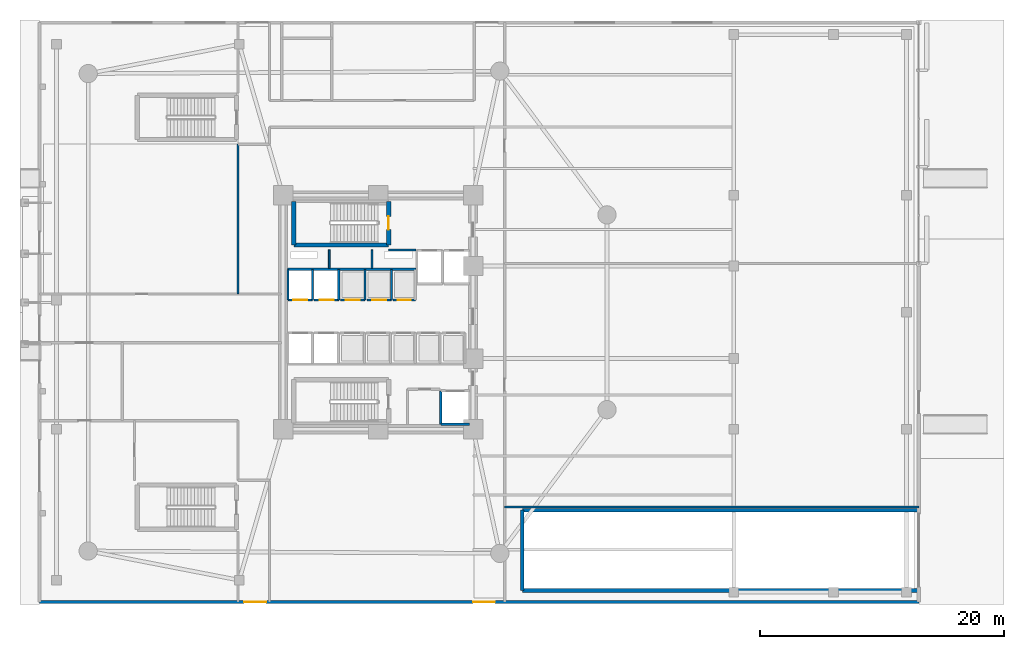
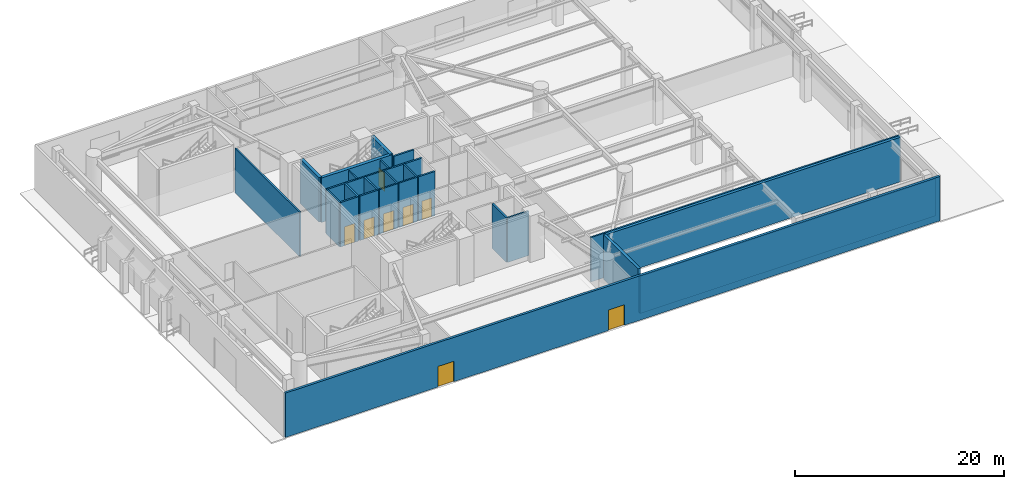
# One storey, part 7 of 16: 25 walls, 8 doors, 8 openings.
"""IFC4 building model written with IfcOpenShell, lengths in metres."""

from ifc_helpers import new_model, si_unit, direction, frame, frame_2d, origin, place, context, subcontext, project, spatial, rectangle, extrude, material, layer, layer_set, type_object, element, fill, save


model = new_model("IFC4")

# Units and contexts
model_context = context("Model", 3, precision=1e-05, world=origin(), true_north=direction((0.0, 1.0)))
body_context = subcontext(model_context, "Body", "Model", "MODEL_VIEW")
ifc_project = project(units=[si_unit("LENGTHUNIT", "METRE"), si_unit("AREAUNIT", "SQUARE_METRE"), si_unit("VOLUMEUNIT", "CUBIC_METRE"), si_unit("PLANEANGLEUNIT", "RADIAN"), si_unit("MASSUNIT", "GRAM", prefix="KILO")], contexts=[model_context])

# Site, building, storey
site_placement = place(None, origin())
site = spatial("IfcSite", under=ifc_project, at=site_placement, CompositionType="ELEMENT")
building_placement = place(site_placement, origin())
building = spatial("IfcBuilding", under=site, at=building_placement, Name="An Khanh Terracotta Commons", CompositionType="ELEMENT")
storey_placement = place(building_placement, origin())
storey = spatial("IfcBuildingStorey", under=building, at=storey_placement, Name="L01", CompositionType="ELEMENT", Elevation=0.0)

# Walls
ifc_material_1 = material(Name="Fire-Rated Gypsum Board on Steel Stud", Category="steel")
ifc_layer_1 = layer(ifc_material_1, 0.179931640625, Name="Fire-Rated Gypsum Board on Steel Stud")
ifc_layer_set_1 = layer_set([ifc_layer_1], Name="Fire-Rated Gypsum Board on Steel Stud")
wall_type_1 = type_object("IfcWallType", Name="WALL-CORR-180", PredefinedType="PARTITIONING", material=ifc_layer_set_1)
wall_1_placement = place(storey_placement, frame((30.27001953125, 29.1201171875, 0.0), z_axis=(0.0, 0.0, 1.0), x_axis=(1.0, 0.0, 0.0)))
element("IfcWall", 1, at=wall_1_placement, inside=storey, type_object=wall_type_1, Name="L01 Core Wall FFLW-L01-S", PredefinedType="PARTITIONING", context=body_context, shape_type="SweptSolid", body=[
    extrude(rectangle(XDim=2.239990234375, YDim=0.179931640625, at=frame_2d((1.1201171875, 0.0))), origin(), (0.0, 0.0, 1.0), 5.179931640625),
])
wall_2_placement = place(storey_placement, frame((21.949951171875, 27.5400390625, 0.0), z_axis=(0.0, 0.0, 1.0), x_axis=(1.0, 0.0, 0.0)))
element("IfcWall", 2, at=wall_2_placement, inside=storey, type_object=wall_type_1, Name="L01 Core Wall RSRW-L01-S", PredefinedType="PARTITIONING", context=body_context, shape_type="SweptSolid", body=[
    extrude(rectangle(XDim=10.56005859375, YDim=0.179931640625, at=frame_2d((5.280029296875, 0.0))), origin(), (0.0, 0.0, 1.0), 5.179931640625),
])
wall_3_placement = place(storey_placement, frame((36.89990234375, 14.800048828125, 0.0), z_axis=(0.0, 0.0, 1.0), x_axis=(-1.0, 0.0, 0.0)))
element("IfcWall", 3, at=wall_3_placement, inside=storey, type_object=wall_type_1, Name="L01 Core Wall LSH-L01-SVL-01-S", PredefinedType="PARTITIONING", context=body_context, shape_type="SweptSolid", body=[
    extrude(rectangle(XDim=2.349853515625, YDim=0.179931640625, at=frame_2d((1.1748046875, 0.0))), origin(), (0.0, 0.0, 1.0), 5.179931640625),
])
wall_4_placement = place(storey_placement, frame((34.550048828125, 17.550048828125, 0.0), z_axis=(0.0, 0.0, 1.0), x_axis=(0.0, -1.0, 0.0)))
element("IfcWall", 4, at=wall_4_placement, inside=storey, type_object=wall_type_1, Name="L01 Core Wall LSH-L01-SVL-01-W", PredefinedType="PARTITIONING", context=body_context, shape_type="SweptSolid", body=[
    extrude(rectangle(XDim=2.75, YDim=0.179931640625, at=frame_2d((1.375, 0.0))), origin(), (0.0, 0.0, 1.0), 5.179931640625),
])

# Wall, opening, door
wall_5_placement = place(storey_placement, frame((24.02001953125, 25.0, 0.0), z_axis=(0.0, 0.0, 1.0), x_axis=(-1.0, 0.0, 0.0)))
wall_5 = element("IfcWall", 5, at=wall_5_placement, inside=storey, type_object=wall_type_1, Name="L01 Core Wall LSH-L01-PL-L1-S", PredefinedType="PARTITIONING", context=body_context, shape_type="SweptSolid", body=[
    extrude(rectangle(XDim=2.02001953125, YDim=0.179931640625, at=frame_2d((1.010009765625, 0.0))), origin(), (0.0, 0.0, 1.0), 5.179931640625),
])
opening_1_placement = place(wall_5_placement, frame((0.43505859375, 0.0, 0.0)))
opening_1 = element("IfcOpeningElement", 6, at=opening_1_placement, cuts=wall_5, Name="Opening LD-PL-L1-L01", PredefinedType="OPENING", context=body_context, shape_type="SweptSolid", body=[
    extrude(rectangle(XDim=1.14990234375, YDim=2.199951171875, at=frame_2d((0.574951171875, 1.10009765625))), frame((0.0, 0.099853515625, 0.0), z_axis=(0.0, -1.0, 0.0), x_axis=(1.0, 0.0, 0.0)), (0.0, 0.0, 1.0), 0.199951171875),
])
ifc_material_2 = material(Name="Brushed Stainless Steel Passenger Landing Door", Category="steel")
door_type_1 = type_object("IfcDoorType", Name="DOOR-LD-PAX-1150", OperationType="NOTDEFINED", PredefinedType="DOOR", material=ifc_material_2)
door_1_placement = place(opening_1_placement, origin())
door_1 = element("IfcDoor", 7, at=door_1_placement, inside=storey, type_object=door_type_1, Name="L01 Lift PL-L1 Sliding Landing Door", OperationType="DOUBLE_DOOR_SLIDING", OverallHeight=2.199951171875, OverallWidth=1.14990234375, PredefinedType="DOOR", context=body_context, shape_type="SweptSolid", body=[
    extrude(rectangle(XDim=1.14990234375, YDim=2.199951171875, at=frame_2d((0.574951171875, 1.10009765625))), frame((0.0, 0.02490234375, 0.0), z_axis=(0.0, -1.0, 0.0), x_axis=(1.0, 0.0, 0.0)), (0.0, 0.0, 1.0), 0.050048828125),
])
fill(opening_1, door_1)

# Walls
for number, where, z_axis, x_axis, name in (
    (8, (24.02001953125, 25.0, 0.0), (0.0, 0.0, 1.0), (0.0, 1.0, 0.0), "L01 Core Wall LSH-L01-PL-L1-E"),
    (9, (22.0, 27.5, 0.0), (0.0, 0.0, 1.0), (0.0, -1.0, 0.0), "L01 Core Wall LSH-L01-PL-L1-W"),
):
    element("IfcWall", number, at=place(storey_placement, frame(where, z_axis=z_axis, x_axis=x_axis)), inside=storey, type_object=wall_type_1, Name=name, PredefinedType="PARTITIONING", context=body_context, shape_type="SweptSolid", body=[
        extrude(rectangle(XDim=2.5, YDim=0.179931640625, at=frame_2d((1.25, 0.0))), origin(), (0.0, 0.0, 1.0), 5.179931640625),
    ])

# Wall, opening, door
wall_6_placement = place(storey_placement, frame((26.179931640625, 25.0, 0.0), z_axis=(0.0, 0.0, 1.0), x_axis=(-1.0, 0.0, 0.0)))
wall_6 = element("IfcWall", 10, at=wall_6_placement, inside=storey, type_object=wall_type_1, Name="L01 Core Wall LSH-L01-PL-L2-S", PredefinedType="PARTITIONING", context=body_context, shape_type="SweptSolid", body=[
    extrude(rectangle(XDim=2.02001953125, YDim=0.179931640625, at=frame_2d((1.010009765625, 0.0))), origin(), (0.0, 0.0, 1.0), 5.179931640625),
])
opening_2_placement = place(wall_6_placement, frame((0.43505859375, 0.0, 0.0)))
opening_2 = element("IfcOpeningElement", 11, at=opening_2_placement, cuts=wall_6, Name="Opening LD-PL-L2-L01", PredefinedType="OPENING", context=body_context, shape_type="SweptSolid", body=[
    extrude(rectangle(XDim=1.14990234375, YDim=2.199951171875, at=frame_2d((0.574951171875, 1.10009765625))), frame((0.0, 0.099853515625, 0.0), z_axis=(0.0, -1.0, 0.0), x_axis=(1.0, 0.0, 0.0)), (0.0, 0.0, 1.0), 0.199951171875),
])
door_2_placement = place(opening_2_placement, origin())
door_2 = element("IfcDoor", 12, at=door_2_placement, inside=storey, type_object=door_type_1, Name="L01 Lift PL-L2 Sliding Landing Door", OperationType="DOUBLE_DOOR_SLIDING", OverallHeight=2.199951171875, OverallWidth=1.14990234375, PredefinedType="DOOR", context=body_context, shape_type="SweptSolid", body=[
    extrude(rectangle(XDim=1.14990234375, YDim=2.199951171875, at=frame_2d((0.574951171875, 1.10009765625))), frame((0.0, 0.02490234375, 0.0), z_axis=(0.0, -1.0, 0.0), x_axis=(1.0, 0.0, 0.0)), (0.0, 0.0, 1.0), 0.050048828125),
])
fill(opening_2, door_2)

# Wall
wall_7_placement = place(storey_placement, frame((26.179931640625, 25.0, 0.0), z_axis=(0.0, 0.0, 1.0), x_axis=(0.0, 1.0, 0.0)))
element("IfcWall", 13, at=wall_7_placement, inside=storey, type_object=wall_type_1, Name="L01 Core Wall LSH-L01-PL-L2-E", PredefinedType="PARTITIONING", context=body_context, shape_type="SweptSolid", body=[
    extrude(rectangle(XDim=2.5, YDim=0.179931640625, at=frame_2d((1.25, 0.0))), origin(), (0.0, 0.0, 1.0), 5.179931640625),
])

# Wall, opening, door
wall_8_placement = place(storey_placement, frame((28.340087890625, 25.0, 0.0), z_axis=(0.0, 0.0, 1.0), x_axis=(-1.0, 0.0, 0.0)))
wall_8 = element("IfcWall", 14, at=wall_8_placement, inside=storey, type_object=wall_type_1, Name="L01 Core Wall LSH-L01-PL-M1-S", PredefinedType="PARTITIONING", context=body_context, shape_type="SweptSolid", body=[
    extrude(rectangle(XDim=2.02001953125, YDim=0.179931640625, at=frame_2d((1.010009765625, 0.0))), origin(), (0.0, 0.0, 1.0), 5.179931640625),
])
opening_3_placement = place(wall_8_placement, frame((0.43505859375, 0.0, 0.0)))
opening_3 = element("IfcOpeningElement", 15, at=opening_3_placement, cuts=wall_8, Name="Opening LD-PL-M1-L01", PredefinedType="OPENING", context=body_context, shape_type="SweptSolid", body=[
    extrude(rectangle(XDim=1.14990234375, YDim=2.199951171875, at=frame_2d((0.574951171875, 1.10009765625))), frame((0.0, 0.099853515625, 0.0), z_axis=(0.0, -1.0, 0.0), x_axis=(1.0, 0.0, 0.0)), (0.0, 0.0, 1.0), 0.199951171875),
])
door_3_placement = place(opening_3_placement, origin())
door_3 = element("IfcDoor", 16, at=door_3_placement, inside=storey, type_object=door_type_1, Name="L01 Lift PL-M1 Sliding Landing Door", OperationType="DOUBLE_DOOR_SLIDING", OverallHeight=2.199951171875, OverallWidth=1.14990234375, PredefinedType="DOOR", context=body_context, shape_type="SweptSolid", body=[
    extrude(rectangle(XDim=1.14990234375, YDim=2.199951171875, at=frame_2d((0.574951171875, 1.10009765625))), frame((0.0, 0.02490234375, 0.0), z_axis=(0.0, -1.0, 0.0), x_axis=(1.0, 0.0, 0.0)), (0.0, 0.0, 1.0), 0.050048828125),
])
fill(opening_3, door_3)

# Wall
wall_9_placement = place(storey_placement, frame((28.340087890625, 25.0, 0.0), z_axis=(0.0, 0.0, 1.0), x_axis=(0.0, 1.0, 0.0)))
element("IfcWall", 17, at=wall_9_placement, inside=storey, type_object=wall_type_1, Name="L01 Core Wall LSH-L01-PL-M1-E", PredefinedType="PARTITIONING", context=body_context, shape_type="SweptSolid", body=[
    extrude(rectangle(XDim=2.5, YDim=0.179931640625, at=frame_2d((1.25, 0.0))), origin(), (0.0, 0.0, 1.0), 5.179931640625),
])

# Wall, opening, door
wall_10_placement = place(storey_placement, frame((30.5, 25.0, 0.0), z_axis=(0.0, 0.0, 1.0), x_axis=(-1.0, 0.0, 0.0)))
wall_10 = element("IfcWall", 18, at=wall_10_placement, inside=storey, type_object=wall_type_1, Name="L01 Core Wall LSH-L01-PL-M2-S", PredefinedType="PARTITIONING", context=body_context, shape_type="SweptSolid", body=[
    extrude(rectangle(XDim=2.02001953125, YDim=0.179931640625, at=frame_2d((1.010009765625, 0.0))), origin(), (0.0, 0.0, 1.0), 5.179931640625),
])
opening_4_placement = place(wall_10_placement, frame((0.43505859375, 0.0, 0.0)))
opening_4 = element("IfcOpeningElement", 19, at=opening_4_placement, cuts=wall_10, Name="Opening LD-PL-M2-L01", PredefinedType="OPENING", context=body_context, shape_type="SweptSolid", body=[
    extrude(rectangle(XDim=1.14990234375, YDim=2.199951171875, at=frame_2d((0.574951171875, 1.10009765625))), frame((0.0, 0.099853515625, 0.0), z_axis=(0.0, -1.0, 0.0), x_axis=(1.0, 0.0, 0.0)), (0.0, 0.0, 1.0), 0.199951171875),
])
door_4_placement = place(opening_4_placement, origin())
door_4 = element("IfcDoor", 20, at=door_4_placement, inside=storey, type_object=door_type_1, Name="L01 Lift PL-M2 Sliding Landing Door", OperationType="DOUBLE_DOOR_SLIDING", OverallHeight=2.199951171875, OverallWidth=1.14990234375, PredefinedType="DOOR", context=body_context, shape_type="SweptSolid", body=[
    extrude(rectangle(XDim=1.14990234375, YDim=2.199951171875, at=frame_2d((0.574951171875, 1.10009765625))), frame((0.0, 0.02490234375, 0.0), z_axis=(0.0, -1.0, 0.0), x_axis=(1.0, 0.0, 0.0)), (0.0, 0.0, 1.0), 0.050048828125),
])
fill(opening_4, door_4)

# Wall
wall_11_placement = place(storey_placement, frame((30.5, 25.0, 0.0), z_axis=(0.0, 0.0, 1.0), x_axis=(0.0, 1.0, 0.0)))
element("IfcWall", 21, at=wall_11_placement, inside=storey, type_object=wall_type_1, Name="L01 Core Wall LSH-L01-PL-M2-E", PredefinedType="PARTITIONING", context=body_context, shape_type="SweptSolid", body=[
    extrude(rectangle(XDim=2.5, YDim=0.179931640625, at=frame_2d((1.25, 0.0))), origin(), (0.0, 0.0, 1.0), 5.179931640625),
])

# Wall, opening, door
wall_12_placement = place(storey_placement, frame((32.4599609375, 25.0, 0.0), z_axis=(0.0, 0.0, 1.0), x_axis=(-1.0, 0.0, 0.0)))
wall_12 = element("IfcWall", 22, at=wall_12_placement, inside=storey, type_object=wall_type_1, Name="L01 Core Wall LSH-L01-PL-H1-S", PredefinedType="PARTITIONING", context=body_context, shape_type="SweptSolid", body=[
    extrude(rectangle(XDim=1.820068359375, YDim=0.179931640625, at=frame_2d((0.91015625, 0.0))), origin(), (0.0, 0.0, 1.0), 5.179931640625),
])
opening_5_placement = place(wall_12_placement, frame((0.385009765625, 0.0, 0.0)))
opening_5 = element("IfcOpeningElement", 23, at=opening_5_placement, cuts=wall_12, Name="Opening LD-PL-H1-L01", PredefinedType="OPENING", context=body_context, shape_type="SweptSolid", body=[
    extrude(rectangle(XDim=1.050048828125, YDim=2.199951171875, at=frame_2d((0.52490234375, 1.10009765625))), frame((0.0, 0.099853515625, 0.0), z_axis=(0.0, -1.0, 0.0), x_axis=(1.0, 0.0, 0.0)), (0.0, 0.0, 1.0), 0.199951171875),
])
ifc_material_3 = material(Name="Brushed Stainless Steel High-Rise Landing Door", Category="steel")
door_type_2 = type_object("IfcDoorType", Name="DOOR-LD-PAXH-1050", OperationType="NOTDEFINED", PredefinedType="DOOR", material=ifc_material_3)
door_5_placement = place(opening_5_placement, origin())
door_5 = element("IfcDoor", 24, at=door_5_placement, inside=storey, type_object=door_type_2, Name="L01 Lift PL-H1 Sliding Landing Door", OperationType="DOUBLE_DOOR_SLIDING", OverallHeight=2.199951171875, OverallWidth=1.050048828125, PredefinedType="DOOR", context=body_context, shape_type="SweptSolid", body=[
    extrude(rectangle(XDim=1.050048828125, YDim=2.199951171875, at=frame_2d((0.52490234375, 1.10009765625))), frame((0.0, 0.02490234375, 0.0), z_axis=(0.0, -1.0, 0.0), x_axis=(1.0, 0.0, 0.0)), (0.0, 0.0, 1.0), 0.050048828125),
])
fill(opening_5, door_5)

# Walls
ifc_material_4 = material(Name="Double-Layer Fire-Rated Gypsum Board on Mineral Fibre Core")
ifc_layer_2 = layer(ifc_material_4, 0.179931640625, Name="Double-Layer Fire-Rated Gypsum Board on Mineral Fibre Core")
ifc_layer_set_2 = layer_set([ifc_layer_2], Name="Double-Layer Fire-Rated Gypsum Board on Mineral Fibre Core")
wall_type_2 = type_object("IfcWallType", Name="WALL-EXITPASS-180", PredefinedType="PARTITIONING", material=ifc_layer_set_2)
wall_13_placement = place(storey_placement, frame((39.800048828125, 8.0, 0.0), z_axis=(0.0, 0.0, 1.0), x_axis=(1.0, 0.0, 0.0)))
element("IfcWall", 25, at=wall_13_placement, inside=storey, type_object=wall_type_2, Name="L01 Interior Partition IW-L01-E001", PredefinedType="PARTITIONING", context=body_context, shape_type="SweptSolid", body=[
    extrude(rectangle(XDim=34.0, YDim=0.179931640625, at=frame_2d((17.0, 0.0))), origin(), (0.0, 0.0, 1.0), 5.179931640625),
])
wall_14_placement = place(storey_placement, frame((17.89990234375, 25.5, 0.0), z_axis=(0.0, 0.0, 1.0), x_axis=(0.0, 1.0, 0.0)))
element("IfcWall", 26, at=wall_14_placement, inside=storey, type_object=wall_type_2, Name="L01 Interior Partition IW-L01-E015", PredefinedType="PARTITIONING", context=body_context, shape_type="SweptSolid", body=[
    extrude(rectangle(XDim=12.300048828125, YDim=0.179931640625, at=frame_2d((6.14990234375, 0.0))), origin(), (0.0, 0.0, 1.0), 5.179931640625),
])
ifc_material_5 = material(Name="Acoustic Gypsum Board Partition")
ifc_layer_3 = layer(ifc_material_5, 0.14990234375, Name="Acoustic Gypsum Board Partition")
ifc_layer_set_3 = layer_set([ifc_layer_3], Name="Acoustic Gypsum Board Partition")
wall_type_3 = type_object("IfcWallType", Name="WALL-PART-150", PredefinedType="PARTITIONING", material=ifc_layer_set_3)
for number, where, z_axis, x_axis, name in (
    (27, (25.39990234375, 27.60009765625, 0.0), (0.0, 0.0, 1.0), (0.0, 1.0, 0.0), "L01 Core Wall RSRW-L01-D1"),
    (28, (28.89990234375, 27.60009765625, 0.0), (0.0, 0.0, 1.0), (0.0, 1.0, 0.0), "L01 Core Wall RSRW-L01-D2"),
):
    element("IfcWall", number, at=place(storey_placement, frame(where, z_axis=z_axis, x_axis=x_axis)), inside=storey, type_object=wall_type_3, Name=name, PredefinedType="PARTITIONING", context=body_context, shape_type="SweptSolid", body=[
        extrude(rectangle(XDim=1.52001953125, YDim=0.14990234375, at=frame_2d((0.760009765625, 0.0))), origin(), (0.0, 0.0, 1.0), 5.179931640625),
    ])

# Wall, openings, doors
ifc_material_6 = material(Name="Concrete C40/50", Category="concrete")
ifc_layer_4 = layer(ifc_material_6, 0.260009765625, Name="Concrete C40/50")
ifc_layer_set_4 = layer_set([ifc_layer_4], Name="Concrete C40/50")
wall_type_4 = type_object("IfcWallType", Name="WALL-POD-260", PredefinedType="SOLIDWALL", material=ifc_layer_set_4)
wall_15_placement = place(storey_placement, frame((73.800048828125, 0.199951171875, 0.0), z_axis=(0.0, 0.0, 1.0), x_axis=(-1.0, 0.0, 0.0)))
wall_15 = element("IfcWall", 29, at=wall_15_placement, inside=storey, type_object=wall_type_4, Name="L01 South Exterior Wall", PredefinedType="SOLIDWALL", context=body_context, shape_type="SweptSolid", body=[
    extrude(rectangle(XDim=72.199951171875, YDim=0.260009765625, at=frame_2d((36.10009765625, 0.0))), origin(), (0.0, 0.0, 1.0), 5.179931640625),
])
opening_6_placement = place(wall_15_placement, frame((53.60009765625, 0.0, 0.0)))
opening_6 = element("IfcOpeningElement", 30, at=opening_6_placement, cuts=wall_15, Name="Opening EX-01", PredefinedType="OPENING", context=body_context, shape_type="SweptSolid", body=[
    extrude(rectangle(XDim=1.800048828125, YDim=2.39990234375, at=frame_2d((0.89990234375, 1.199951171875))), frame((0.0, 0.139892578125, 0.0), z_axis=(0.0, -1.0, 0.0), x_axis=(1.0, 0.0, 0.0)), (0.0, 0.0, 1.0), 0.280029296875),
])
opening_7_placement = place(wall_15_placement, frame((34.800048828125, 0.0, 0.0)))
opening_7 = element("IfcOpeningElement", 31, at=opening_7_placement, cuts=wall_15, Name="Opening EX-02", PredefinedType="OPENING", context=body_context, shape_type="SweptSolid", body=[
    extrude(rectangle(XDim=1.800048828125, YDim=2.39990234375, at=frame_2d((0.89990234375, 1.199951171875))), frame((0.0, 0.139892578125, 0.0), z_axis=(0.0, -1.0, 0.0), x_axis=(1.0, 0.0, 0.0)), (0.0, 0.0, 1.0), 0.280029296875),
])
ifc_material_7 = material(Name="Anodised Aluminium and Toughened Glass", Category="aluminium")
door_type_3 = type_object("IfcDoorType", Name="DOOR-EXT-EXIT-1800", OperationType="NOTDEFINED", PredefinedType="DOOR", material=ifc_material_7)
door_6_placement = place(opening_6_placement, origin())
door_6 = element("IfcDoor", 32, at=door_6_placement, inside=storey, type_object=door_type_3, Name="L01 South-West Stair Protected Exit Door EX-01", OperationType="DOUBLE_DOOR_SINGLE_SWING", OverallHeight=2.39990234375, OverallWidth=1.800048828125, PredefinedType="DOOR", context=body_context, shape_type="SweptSolid", body=[
    extrude(rectangle(XDim=1.800048828125, YDim=2.39990234375, at=frame_2d((0.89990234375, 1.199951171875))), frame((0.0, 0.02490234375, 0.0), z_axis=(0.0, -1.0, 0.0), x_axis=(1.0, 0.0, 0.0)), (0.0, 0.0, 1.0), 0.050048828125),
])
fill(opening_6, door_6)
door_7_placement = place(opening_7_placement, origin())
door_7 = element("IfcDoor", 33, at=door_7_placement, inside=storey, type_object=door_type_3, Name="L01 South Core Protected Exit Door EX-02", OperationType="DOUBLE_DOOR_SINGLE_SWING", OverallHeight=2.39990234375, OverallWidth=1.800048828125, PredefinedType="DOOR", context=body_context, shape_type="SweptSolid", body=[
    extrude(rectangle(XDim=1.800048828125, YDim=2.39990234375, at=frame_2d((0.89990234375, 1.199951171875))), frame((0.0, 0.02490234375, 0.0), z_axis=(0.0, -1.0, 0.0), x_axis=(1.0, 0.0, 0.0)), (0.0, 0.0, 1.0), 0.050048828125),
])
fill(opening_7, door_7)

# Walls
ifc_layer_5 = layer(ifc_material_6, 0.300048828125, Name="Concrete C40/50")
ifc_layer_set_5 = layer_set([ifc_layer_5], Name="Concrete C40/50")
wall_type_5 = type_object("IfcWallType", Name="WALL-RAMP-300", PredefinedType="SOLIDWALL", material=ifc_layer_set_5)
wall_16_placement = place(storey_placement, frame((41.25, 1.14990234375, 0.0), z_axis=(0.0, 0.0, 1.0), x_axis=(1.0, 0.0, 0.0)))
element("IfcWall", 34, at=wall_16_placement, inside=storey, type_object=wall_type_5, Name="L01 Vehicle Ramp Portal Fire Wall 1", PredefinedType="SOLIDWALL", context=body_context, shape_type="SweptSolid", body=[
    extrude(rectangle(XDim=32.550048828125, YDim=0.300048828125, at=frame_2d((16.27490234375, 0.0))), origin(), (0.0, 0.0, 1.0), 4.362060546875),
])
wall_17_placement = place(storey_placement, frame((41.25, 7.75, 0.0), z_axis=(0.0, 0.0, 1.0), x_axis=(1.0, 0.0, 0.0)))
element("IfcWall", 35, at=wall_17_placement, inside=storey, type_object=wall_type_5, Name="L01 Vehicle Ramp Portal Fire Wall 2", PredefinedType="SOLIDWALL", context=body_context, shape_type="SweptSolid", body=[
    extrude(rectangle(XDim=32.550048828125, YDim=0.300048828125, at=frame_2d((16.27490234375, 0.0))), origin(), (0.0, 0.0, 1.0), 5.179931640625),
])
wall_18_placement = place(storey_placement, frame((41.25, 1.14990234375, 0.0), z_axis=(0.0, 0.0, 1.0), x_axis=(0.0, 1.0, 0.0)))
element("IfcWall", 36, at=wall_18_placement, inside=storey, type_object=wall_type_5, Name="L01 Vehicle Ramp Portal Fire Wall 3", PredefinedType="SOLIDWALL", context=body_context, shape_type="SweptSolid", body=[
    extrude(rectangle(XDim=6.60009765625, YDim=0.300048828125, at=frame_2d((3.300048828125, 0.0))), origin(), (0.0, 0.0, 1.0), 5.179931640625),
])
ifc_material_8 = material(Name="Concrete C50/60", Category="concrete")
ifc_layer_6 = layer(ifc_material_8, 0.35009765625, Name="Concrete C50/60")
ifc_layer_set_6 = layer_set([ifc_layer_6], Name="Concrete C50/60")
wall_type_6 = type_object("IfcWallType", Name="WALL-SHAFT-350", PredefinedType="SOLIDWALL", material=ifc_layer_set_6)
wall_19_placement = place(storey_placement, frame((22.47998046875, 29.530029296875, 0.0), z_axis=(0.0, 0.0, 1.0), x_axis=(1.0, 0.0, 0.0)))
element("IfcWall", 37, at=wall_19_placement, inside=storey, type_object=wall_type_6, Name="L01 Core Wall STW-L01-N-S", PredefinedType="SOLIDWALL", context=body_context, shape_type="SweptSolid", body=[
    extrude(rectangle(XDim=7.7900390625, YDim=0.35009765625, at=frame_2d((3.89501953125, 0.0))), origin(), (0.0, 0.0, 1.0), 5.179931640625),
])
wall_20_placement = place(storey_placement, frame((22.47998046875, 29.530029296875, 0.0), z_axis=(0.0, 0.0, 1.0), x_axis=(0.0, 1.0, 0.0)))
element("IfcWall", 38, at=wall_20_placement, inside=storey, type_object=wall_type_6, Name="L01 Core Wall STW-L01-N-W", PredefinedType="SOLIDWALL", context=body_context, shape_type="SweptSolid", body=[
    extrude(rectangle(XDim=3.580078125, YDim=0.35009765625, at=frame_2d((1.7900390625, 0.0))), origin(), (0.0, 0.0, 1.0), 5.179931640625),
])

# Wall, opening, door
wall_21_placement = place(storey_placement, frame((30.27001953125, 29.530029296875, 0.0), z_axis=(0.0, 0.0, 1.0), x_axis=(0.0, 1.0, 0.0)))
wall_21 = element("IfcWall", 39, at=wall_21_placement, inside=storey, type_object=wall_type_6, Name="L01 Core Wall STW-L01-N-E", PredefinedType="SOLIDWALL", context=body_context, shape_type="SweptSolid", body=[
    extrude(rectangle(XDim=3.580078125, YDim=0.35009765625, at=frame_2d((1.7900390625, 0.0))), origin(), (0.0, 0.0, 1.0), 5.179931640625),
])
opening_8_placement = place(wall_21_placement, frame((1.25, 0.0, 0.0)))
opening_8 = element("IfcOpeningElement", 40, at=opening_8_placement, cuts=wall_21, Name="Opening D-ST", PredefinedType="OPENING", context=body_context, shape_type="SweptSolid", body=[
    extrude(rectangle(XDim=1.10009765625, YDim=2.14990234375, at=frame_2d((0.550048828125, 1.074951171875))), frame((0.0, 0.18505859375, 0.0), z_axis=(0.0, -1.0, 0.0), x_axis=(1.0, 0.0, 0.0)), (0.0, 0.0, 1.0), 0.3701171875),
])
ifc_material_9 = material(Name="Fire-Rated Steel Leaf and Frame", Category="steel")
door_type_4 = type_object("IfcDoorType", Name="DOOR-STAIR-1100", OperationType="NOTDEFINED", PredefinedType="DOOR", material=ifc_material_9)
door_8_placement = place(opening_8_placement, origin())
door_8 = element("IfcDoor", 41, at=door_8_placement, inside=storey, type_object=door_type_4, Name="L01 Stair ST-01 Fire Door", OperationType="SINGLE_SWING_RIGHT", OverallHeight=2.14990234375, OverallWidth=1.10009765625, PredefinedType="DOOR", context=body_context, shape_type="SweptSolid", body=[
    extrude(rectangle(XDim=1.10009765625, YDim=2.14990234375, at=frame_2d((0.550048828125, 1.074951171875))), frame((0.0, 0.02490234375, 0.0), z_axis=(0.0, -1.0, 0.0), x_axis=(1.0, 0.0, 0.0)), (0.0, 0.0, 1.0), 0.050048828125),
])
fill(opening_8, door_8)

save(model, "model.ifc")
